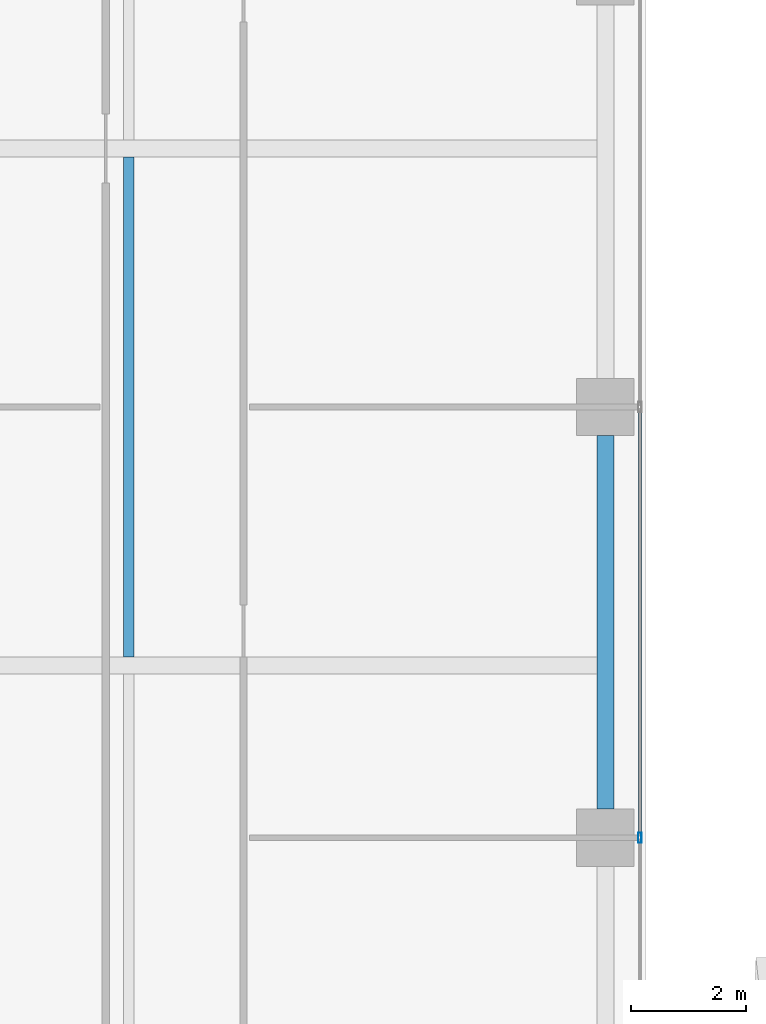
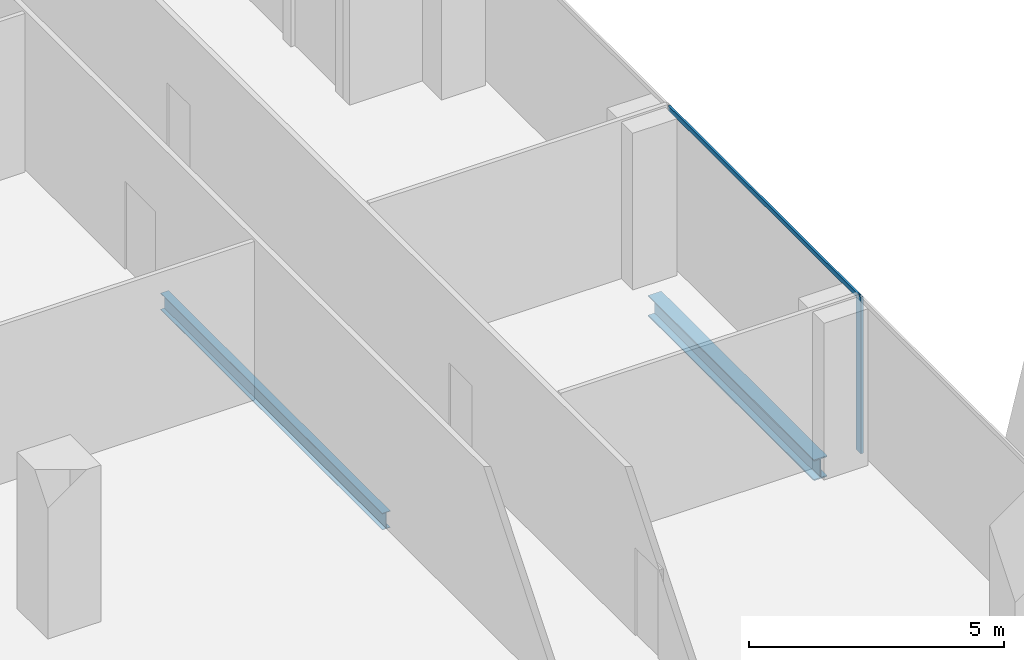
# One storey, part 14 of 38: 2 beams, 2 members, 1 element without a shape of its own.
"""IFC4 building model written with IfcOpenShell, lengths in metres."""

from ifc_helpers import new_model, si_unit, direction, frame, origin, origin_2d, place, context, subcontext, project, spatial, hollow_rectangle, i_section, extrude, source, transform, mapped, material, material_profile, profile_set, type_object, element, aggregate, save


model = new_model("IFC4")

# Units and contexts
model_context = context("Model", 3, precision=1e-05, world=origin(), true_north=direction((0.0, 1.0)))
body_context = subcontext(model_context, "Body", "Model", "MODEL_VIEW")
ifc_project = project(units=[si_unit("LENGTHUNIT", "METRE"), si_unit("AREAUNIT", "SQUARE_METRE"), si_unit("VOLUMEUNIT", "CUBIC_METRE"), si_unit("PLANEANGLEUNIT", "RADIAN"), si_unit("MASSUNIT", "GRAM", prefix="KILO")], contexts=[model_context])

# Site, building, storey
site_placement = place(None, origin())
site = spatial("IfcSite", under=ifc_project, at=site_placement, CompositionType="ELEMENT")
building_placement = place(site_placement, origin())
building = spatial("IfcBuilding", under=site, at=building_placement, Name="Khomas Fold Tower", CompositionType="ELEMENT")
storey_placement = place(building_placement, frame((0.0, 0.0, 196.699951171875)))
storey = spatial("IfcBuildingStorey", under=building, at=storey_placement, Name="L43", CompositionType="ELEMENT", Elevation=196.699951171875)

# Beams
ifc_material_1 = material(Name="Steel S355", Category="steel")
ifc_material_profile_1 = material_profile(ifc_material_1, i_section(OverallWidth=0.179931640625, OverallDepth=0.39990234375, WebThickness=0.008544921875, FlangeThickness=0.013427734375, at=origin_2d()), Name="IPE 400")
ifc_profile_set_1 = profile_set([ifc_material_profile_1], Name="Steel S355")
beam_type_1 = type_object("IfcBeamType", Name="IPE 400 beam JB3", PredefinedType="BEAM", material=ifc_profile_set_1)
shared_shape_1 = source(origin(), body_context, "Body", "SweptSolid", [
    extrude(i_section(OverallWidth=0.179931640625, OverallDepth=0.39990234375, WebThickness=0.008544921875, FlangeThickness=0.013427734375, at=origin_2d()), origin(), (0.0, 0.0, 1.0), 8.7001953125),
])
beam_1_placement = place(storey_placement, frame((42.0, 22.64990234375, -0.449951171875), z_axis=(0.0, 1.0, 0.0), x_axis=(-1.0, 0.0, 0.0)))
element("IfcBeam", 1, at=beam_1_placement, inside=storey, type_object=beam_type_1, Name="JB3", PredefinedType="BEAM", context=body_context, shape_type="MappedRepresentation", body=[
    mapped(shared_shape_1, transform((0.0, 0.0, 0.0))),
])
ifc_material_2 = material(Name="Steel S355", Category="steel")
ifc_material_profile_2 = material_profile(ifc_material_2, i_section(OverallWidth=0.300048828125, OverallDepth=0.5, WebThickness=0.014404296875, FlangeThickness=0.028076171875, at=origin_2d()), Name="HE 500 B")
ifc_profile_set_2 = profile_set([ifc_material_profile_2], Name="Steel S355")
beam_type_2 = type_object("IfcBeamType", Name="HE 500 B spandrel SB3", PredefinedType="SPANDREL", material=ifc_profile_set_2)
shared_shape_2 = source(origin(), body_context, "Body", "SweptSolid", [
    extrude(i_section(OverallWidth=0.300048828125, OverallDepth=0.5, WebThickness=0.014404296875, FlangeThickness=0.028076171875, at=origin_2d()), origin(), (0.0, 0.0, 1.0), 6.5),
])
beam_2_placement = place(storey_placement, frame((50.300048828125, 20.0, -0.5), z_axis=(0.0, 1.0, 0.0), x_axis=(-1.0, 0.0, 0.0)))
element("IfcBeam", 2, at=beam_2_placement, inside=storey, type_object=beam_type_2, Name="SB3", PredefinedType="SPANDREL", context=body_context, shape_type="MappedRepresentation", body=[
    mapped(shared_shape_2, transform((0.0, 0.0, 0.0))),
])

# Curtain wall, members
ifc_material_3 = material(Name="Aluminium framed double glazing", Category="aluminium")
curtain_wall_type = type_object("IfcCurtainWallType", Name="SK-Unitised clear-glass wall, office floors CW2", PredefinedType="NOTDEFINED", material=ifc_material_3)
curtain_wall_placement = place(storey_placement, origin())
curtain_wall = element("IfcCurtainWall", 3, at=curtain_wall_placement, inside=storey, type_object=curtain_wall_type, Name="CW2 run L43 03-0", PredefinedType="NOTDEFINED")
ifc_material_4 = material(Name="Aluminium", Category="aluminium")
ifc_material_profile_3 = material_profile(ifc_material_4, hollow_rectangle(XDim=0.06005859375, YDim=0.179931640625, WallThickness=0.00390625, at=origin_2d()), Name="SK-Unitised clear-glass wall, office floors mullion CW2-M")
ifc_profile_set_3 = profile_set([ifc_material_profile_3], Name="Aluminium")
member_type_1 = type_object("IfcMemberType", Name="SK-Unitised clear-glass wall, office floors mullion CW2-M", PredefinedType="MULLION", material=ifc_profile_set_3)
shared_shape_3 = source(origin(), body_context, "Body", "SweptSolid", [
    extrude(hollow_rectangle(XDim=0.06005859375, YDim=0.179931640625, WallThickness=0.00390625, at=origin_2d()), origin(), (0.0, 0.0, 1.0), 3.75),
])
member_1_placement = place(storey_placement, frame((50.89990234375, 19.5, 0.0), z_axis=(0.0, 0.0, 1.0), x_axis=(-1.0, 0.0, 0.0)))
member_1 = element("IfcMember", 4, at=member_1_placement, type_object=member_type_1, Name="CW2 mullion 4", PredefinedType="MULLION", context=body_context, shape_type="MappedRepresentation", body=[
    mapped(shared_shape_3, transform((0.0, 0.0, 0.0))),
])
ifc_material_5 = material(Name="Aluminium", Category="aluminium")
ifc_material_profile_4 = material_profile(ifc_material_5, hollow_rectangle(XDim=0.050048828125, YDim=0.110107421875, WallThickness=0.00390625, at=origin_2d()), Name="SK-Unitised clear-glass wall, office floors transom CW2-T")
ifc_profile_set_4 = profile_set([ifc_material_profile_4], Name="Aluminium")
member_type_2 = type_object("IfcMemberType", Name="SK-Unitised clear-glass wall, office floors transom CW2-T", PredefinedType="USERDEFINED", material=ifc_profile_set_4)
shared_shape_4 = source(origin(), body_context, "Body", "SweptSolid", [
    extrude(hollow_rectangle(XDim=0.050048828125, YDim=0.110107421875, WallThickness=0.00390625, at=origin_2d()), origin(), (0.0, 0.0, 1.0), 7.43994140625),
])
member_2_placement = place(storey_placement, frame((50.89990234375, 19.530029296875, 3.695068359375), z_axis=(0.0, 1.0, 0.0), x_axis=(-1.0, 0.0, 0.0)))
member_2 = element("IfcMember", 5, at=member_2_placement, type_object=member_type_2, Name="CW2 transom 4", ObjectType="TRANSOM", PredefinedType="USERDEFINED", context=body_context, shape_type="MappedRepresentation", body=[
    mapped(shared_shape_4, transform((0.0, 0.0, 0.0))),
])
aggregate(curtain_wall, [member_1, member_2])

save(model, "model.ifc")
